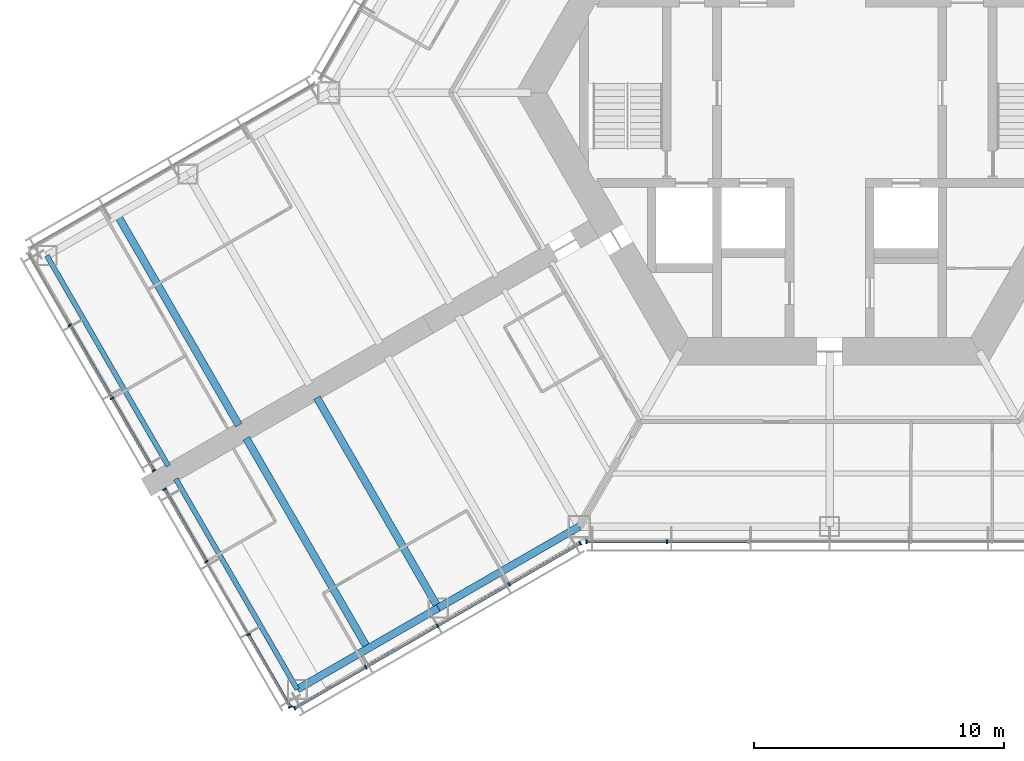
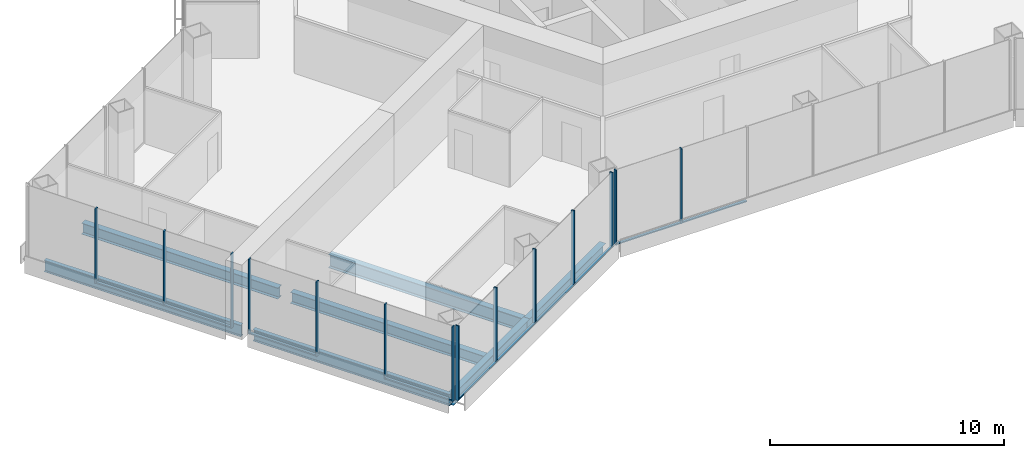
# One storey, part 2 of 18: 24 members, 7 beams, 4 elements without a shape of their own.
"""IFC4 building model written with IfcOpenShell, lengths in metres."""

from ifc_helpers import new_model, si_unit, direction, frame, origin, origin_2d, place, context, subcontext, project, spatial, rectangle, i_section, extrude, material, material_profile, profile_set, type_object, element, aggregate, save


model = new_model("IFC4")

# Units and contexts
model_context = context("Model", 3, precision=1e-05, world=origin(), true_north=direction((0.0, 1.0)))
body_context = subcontext(model_context, "Body", "Model", "MODEL_VIEW")
ifc_project = project(units=[si_unit("LENGTHUNIT", "METRE"), si_unit("AREAUNIT", "SQUARE_METRE"), si_unit("VOLUMEUNIT", "CUBIC_METRE"), si_unit("PLANEANGLEUNIT", "RADIAN"), si_unit("MASSUNIT", "GRAM", prefix="KILO")], contexts=[model_context])

# Site, building, storey
site_placement = place(None, origin())
site = spatial("IfcSite", under=ifc_project, at=site_placement, CompositionType="ELEMENT")
building_placement = place(site_placement, origin())
building = spatial("IfcBuilding", under=site, at=building_placement, Name="Kasaneha Research Tower", CompositionType="ELEMENT")
storey_placement = place(building_placement, frame((0.0, 0.0, 111.89990234375)))
storey = spatial("IfcBuildingStorey", under=building, at=storey_placement, Name="L28", CompositionType="ELEMENT", Elevation=111.89990234375)

# Beams
ifc_material_1 = material(Name="Steel SN490B", Category="steel")
ifc_material_profile_1 = material_profile(ifc_material_1, i_section(OverallWidth=0.300048828125, OverallDepth=0.58203125, WebThickness=0.011962890625, FlangeThickness=0.01708984375, FilletRadius=0.012939453125, at=origin_2d()), Name="H-582x300x12x17")
ifc_profile_set_1 = profile_set([ifc_material_profile_1], Name="Steel SN490B")
beam_type_1 = type_object("IfcBeamType", Name="B2-3 secondary beam H-582x300x12x17", PredefinedType="JOIST", material=ifc_profile_set_1)
for number, where, z_axis, x_axis, name in (
    (1, (-28.44384765625, -4.875, -0.44091796875), (0.500010041276, -0.866019606374, 0.0), (0.866019606374, 0.500010041276, 0.0), "Secondary beam WBBP2 L28"),
    (2, (-18.44384765625, -22.195556640625, -0.44091796875), (-0.499991164321, 0.866030505006, 0.0), (-0.866030505006, -0.499991164321, 0.0), "Secondary beam WBBN2 L28"),
):
    element("IfcBeam", number, at=place(storey_placement, frame(where, z_axis=z_axis, x_axis=x_axis)), inside=storey, type_object=beam_type_1, Name=name, PredefinedType="JOIST", context=body_context, shape_type="SweptSolid", body=[
        extrude(i_section(OverallWidth=0.300048828125, OverallDepth=0.58203125, WebThickness=0.011962890625, FlangeThickness=0.01708984375, FilletRadius=0.012939453125, at=origin_2d()), origin(), (0.0, 0.0, 1.0), 9.699951171875),
    ])

# Curtain wall, members
ifc_material_2 = material(Name="Glass and aluminium", Category="aluminium")
curtain_wall_type = type_object("IfcCurtainWallType", Name="Low-rise office curtain wall", PredefinedType="USERDEFINED", material=ifc_material_2)
curtain_wall_1_placement = place(storey_placement, origin())
curtain_wall_1 = element("IfcCurtainWall", 3, at=curtain_wall_1_placement, inside=storey, type_object=curtain_wall_type, Name="CW-O1 L28 run 01a", ObjectType="UNITISED CURTAIN WALL", PredefinedType="USERDEFINED")
ifc_material_3 = material(Name="Aluminium 6063-T6", Category="aluminium")
ifc_material_profile_2 = material_profile(ifc_material_3, rectangle(XDim=0.06005859375, YDim=0.159912109375, at=origin_2d()), Name="CW-O1 mullion 60x160")
ifc_profile_set_2 = profile_set([ifc_material_profile_2], Name="Aluminium 6063-T6")
member_type_1 = type_object("IfcMemberType", Name="CW-O1 mullion", PredefinedType="MULLION", material=ifc_profile_set_2)
member_1_placement = place(storey_placement, frame((-21.365478515625, -24.5751953125, 0.0), z_axis=(0.0, 0.0, 1.0), x_axis=(0.866025411464, 0.499999986699, 0.0)))
member_1 = element("IfcMember", 4, at=member_1_placement, type_object=member_type_1, Name="CW-O1 mullion 1", PredefinedType="MULLION", context=body_context, shape_type="SweptSolid", body=[
    extrude(rectangle(XDim=0.06005859375, YDim=0.159912109375, at=origin_2d()), origin(), (0.0, 0.0, 1.0), 3.900146484375),
])
member_2_placement = place(storey_placement, frame((-18.52490234375, -22.935302734375, 0.0), z_axis=(0.0, 0.0, 1.0), x_axis=(0.866025411464, 0.499999986699, 0.0)))
member_2 = element("IfcMember", 5, at=member_2_placement, type_object=member_type_1, Name="CW-O1 mullion 2", PredefinedType="MULLION", context=body_context, shape_type="SweptSolid", body=[
    extrude(rectangle(XDim=0.06005859375, YDim=0.159912109375, at=origin_2d()), origin(), (0.0, 0.0, 1.0), 3.900146484375),
])
member_3_placement = place(storey_placement, frame((-15.65869140625, -21.2802734375, 0.0), z_axis=(0.0, 0.0, 1.0), x_axis=(0.866025411464, 0.499999986699, 0.0)))
member_3 = element("IfcMember", 6, at=member_3_placement, type_object=member_type_1, Name="CW-O1 mullion 3", PredefinedType="MULLION", context=body_context, shape_type="SweptSolid", body=[
    extrude(rectangle(XDim=0.06005859375, YDim=0.159912109375, at=origin_2d()), origin(), (0.0, 0.0, 1.0), 3.900146484375),
])
member_4_placement = place(storey_placement, frame((-12.792236328125, -19.62548828125, 0.0), z_axis=(0.0, 0.0, 1.0), x_axis=(0.866025411464, 0.499999986699, 0.0)))
member_4 = element("IfcMember", 7, at=member_4_placement, type_object=member_type_1, Name="CW-O1 mullion 4", PredefinedType="MULLION", context=body_context, shape_type="SweptSolid", body=[
    extrude(rectangle(XDim=0.06005859375, YDim=0.159912109375, at=origin_2d()), origin(), (0.0, 0.0, 1.0), 3.900146484375),
])
member_5_placement = place(storey_placement, frame((-9.951904296875, -17.985595703125, 0.0), z_axis=(0.0, 0.0, 1.0), x_axis=(0.866025411464, 0.499999986699, 0.0)))
member_5 = element("IfcMember", 8, at=member_5_placement, type_object=member_type_1, Name="CW-O1 mullion 5", PredefinedType="MULLION", context=body_context, shape_type="SweptSolid", body=[
    extrude(rectangle(XDim=0.06005859375, YDim=0.159912109375, at=origin_2d()), origin(), (0.0, 0.0, 1.0), 3.900146484375),
])

curtain_wall_2_placement = place(storey_placement, origin())
curtain_wall_2 = element("IfcCurtainWall", 9, at=curtain_wall_2_placement, inside=storey, type_object=curtain_wall_type, Name="CW-O1 L28 run 02a", ObjectType="UNITISED CURTAIN WALL", PredefinedType="USERDEFINED")
member_6_placement = place(storey_placement, frame((-9.709228515625, -17.92041015625, 0.0), z_axis=(0.0, 0.0, 1.0), x_axis=(1.0, 0.0, 0.0)))
member_6 = element("IfcMember", 10, at=member_6_placement, type_object=member_type_1, Name="CW-O1 mullion 1", PredefinedType="MULLION", context=body_context, shape_type="SweptSolid", body=[
    extrude(rectangle(XDim=0.06005859375, YDim=0.159912109375, at=origin_2d()), origin(), (0.0, 0.0, 1.0), 3.900146484375),
])
member_7_placement = place(storey_placement, frame((-6.492919921875, -17.92041015625, 0.0), z_axis=(0.0, 0.0, 1.0), x_axis=(1.0, 0.0, 0.0)))
member_7 = element("IfcMember", 11, at=member_7_placement, type_object=member_type_1, Name="CW-O1 mullion 2", PredefinedType="MULLION", context=body_context, shape_type="SweptSolid", body=[
    extrude(rectangle(XDim=0.06005859375, YDim=0.159912109375, at=origin_2d()), origin(), (0.0, 0.0, 1.0), 3.900146484375),
])

curtain_wall_3_placement = place(storey_placement, origin())
curtain_wall_3 = element("IfcCurtainWall", 12, at=curtain_wall_3_placement, inside=storey, type_object=curtain_wall_type, Name="CW-O1 L28 run 14a", ObjectType="UNITISED CURTAIN WALL", PredefinedType="USERDEFINED")
member_8_placement = place(storey_placement, frame((-30.3447265625, -9.28271484375, 0.0), z_axis=(0.0, 0.0, 1.0), x_axis=(0.500000011442, -0.866025397178, 0.0)))
member_8 = element("IfcMember", 13, at=member_8_placement, type_object=member_type_1, Name="CW-O1 mullion 2", PredefinedType="MULLION", context=body_context, shape_type="SweptSolid", body=[
    extrude(rectangle(XDim=0.06005859375, YDim=0.159912109375, at=origin_2d()), origin(), (0.0, 0.0, 1.0), 3.900146484375),
])
member_9_placement = place(storey_placement, frame((-28.661376953125, -12.1982421875, 0.0), z_axis=(0.0, 0.0, 1.0), x_axis=(0.500000011442, -0.866025397178, 0.0)))
member_9 = element("IfcMember", 14, at=member_9_placement, type_object=member_type_1, Name="CW-O1 mullion 3", PredefinedType="MULLION", context=body_context, shape_type="SweptSolid", body=[
    extrude(rectangle(XDim=0.06005859375, YDim=0.159912109375, at=origin_2d()), origin(), (0.0, 0.0, 1.0), 3.900146484375),
])
member_10_placement = place(storey_placement, frame((-26.992919921875, -15.087890625, 0.0), z_axis=(0.0, 0.0, 1.0), x_axis=(0.500000011442, -0.866025397178, 0.0)))
member_10 = element("IfcMember", 15, at=member_10_placement, type_object=member_type_1, Name="CW-O1 mullion 4", PredefinedType="MULLION", context=body_context, shape_type="SweptSolid", body=[
    extrude(rectangle(XDim=0.06005859375, YDim=0.159912109375, at=origin_2d()), origin(), (0.0, 0.0, 1.0), 3.900146484375),
])

curtain_wall_4_placement = place(storey_placement, origin())
curtain_wall_4 = element("IfcCurtainWall", 16, at=curtain_wall_4_placement, inside=storey, type_object=curtain_wall_type, Name="CW-O1 L28 run 15a", ObjectType="UNITISED CURTAIN WALL", PredefinedType="USERDEFINED")
member_11_placement = place(storey_placement, frame((-26.56298828125, -15.832763671875, 0.0), z_axis=(0.0, 0.0, 1.0), x_axis=(0.500000011442, -0.866025397178, 0.0)))
member_11 = element("IfcMember", 17, at=member_11_placement, type_object=member_type_1, Name="CW-O1 mullion 1", PredefinedType="MULLION", context=body_context, shape_type="SweptSolid", body=[
    extrude(rectangle(XDim=0.06005859375, YDim=0.159912109375, at=origin_2d()), origin(), (0.0, 0.0, 1.0), 3.900146484375),
])
member_12_placement = place(storey_placement, frame((-24.89453125, -18.72216796875, 0.0), z_axis=(0.0, 0.0, 1.0), x_axis=(0.500000011442, -0.866025397178, 0.0)))
member_12 = element("IfcMember", 18, at=member_12_placement, type_object=member_type_1, Name="CW-O1 mullion 2", PredefinedType="MULLION", context=body_context, shape_type="SweptSolid", body=[
    extrude(rectangle(XDim=0.06005859375, YDim=0.159912109375, at=origin_2d()), origin(), (0.0, 0.0, 1.0), 3.900146484375),
])
member_13_placement = place(storey_placement, frame((-23.211181640625, -21.637939453125, 0.0), z_axis=(0.0, 0.0, 1.0), x_axis=(0.500000011442, -0.866025397178, 0.0)))
member_13 = element("IfcMember", 19, at=member_13_placement, type_object=member_type_1, Name="CW-O1 mullion 3", PredefinedType="MULLION", context=body_context, shape_type="SweptSolid", body=[
    extrude(rectangle(XDim=0.06005859375, YDim=0.159912109375, at=origin_2d()), origin(), (0.0, 0.0, 1.0), 3.900146484375),
])
member_14_placement = place(storey_placement, frame((-21.54296875, -24.527587890625, 0.0), z_axis=(0.0, 0.0, 1.0), x_axis=(0.500000011442, -0.866025397178, 0.0)))
member_14 = element("IfcMember", 20, at=member_14_placement, type_object=member_type_1, Name="CW-O1 mullion 4", PredefinedType="MULLION", context=body_context, shape_type="SweptSolid", body=[
    extrude(rectangle(XDim=0.06005859375, YDim=0.159912109375, at=origin_2d()), origin(), (0.0, 0.0, 1.0), 3.900146484375),
])

# Member
ifc_material_4 = material(Name="Aluminium 6063-T6", Category="aluminium")
ifc_material_profile_3 = material_profile(ifc_material_4, rectangle(XDim=0.1201171875, YDim=0.06005859375, at=origin_2d()), Name="CW-O1 transom 120x60")
ifc_profile_set_3 = profile_set([ifc_material_profile_3], Name="Aluminium 6063-T6")
member_type_2 = type_object("IfcMemberType", Name="CW-O1 transom", PredefinedType="USERDEFINED", material=ifc_profile_set_3)
member_15_placement = place(storey_placement, frame((-21.33935546875, -24.56005859375, 0.030029296875), z_axis=(0.866022692473, 0.500004696101, 0.0), x_axis=(-0.500004696101, 0.866022692473, 0.0)))
member_15 = element("IfcMember", 21, at=member_15_placement, type_object=member_type_2, Name="CW-O1 transom 1", ObjectType="TRANSOM", PredefinedType="USERDEFINED", context=body_context, shape_type="SweptSolid", body=[
    extrude(rectangle(XDim=0.1201171875, YDim=0.06005859375, at=origin_2d()), origin(), (0.0, 0.0, 1.0), 3.2197265625),
])

member_16_placement = place(storey_placement, frame((-18.4990234375, -22.920166015625, 0.030029296875), z_axis=(0.86604797581, 0.499960902066, 0.0), x_axis=(-0.499960902066, 0.86604797581, 0.0)))
member_16 = element("IfcMember", 22, at=member_16_placement, type_object=member_type_2, Name="CW-O1 transom 2", ObjectType="TRANSOM", PredefinedType="USERDEFINED", context=body_context, shape_type="SweptSolid", body=[
    extrude(rectangle(XDim=0.1201171875, YDim=0.06005859375, at=origin_2d()), origin(), (0.0, 0.0, 1.0), 3.249755859375),
])

member_17_placement = place(storey_placement, frame((-15.632568359375, -21.265380859375, 0.030029296875), z_axis=(0.866015446554, 0.500017246033, 0.0), x_axis=(-0.500017246033, 0.866015446554, 0.0)))
member_17 = element("IfcMember", 23, at=member_17_placement, type_object=member_type_2, Name="CW-O1 transom 3", ObjectType="TRANSOM", PredefinedType="USERDEFINED", context=body_context, shape_type="SweptSolid", body=[
    extrude(rectangle(XDim=0.1201171875, YDim=0.06005859375, at=origin_2d()), origin(), (0.0, 0.0, 1.0), 3.25),
])

member_18_placement = place(storey_placement, frame((-12.76611328125, -19.6103515625, 0.030029296875), z_axis=(0.866022692473, 0.500004696101, 0.0), x_axis=(-0.500004696101, 0.866022692473, 0.0)))
member_18 = element("IfcMember", 24, at=member_18_placement, type_object=member_type_2, Name="CW-O1 transom 4", ObjectType="TRANSOM", PredefinedType="USERDEFINED", context=body_context, shape_type="SweptSolid", body=[
    extrude(rectangle(XDim=0.1201171875, YDim=0.06005859375, at=origin_2d()), origin(), (0.0, 0.0, 1.0), 3.2197265625),
])

aggregate(curtain_wall_1, [member_1, member_2, member_3, member_4, member_5, member_15, member_16, member_17, member_18])

member_19_placement = place(storey_placement, frame((-9.67919921875, -17.92041015625, 0.030029296875), z_axis=(1.0, 0.0, 0.0), x_axis=(0.0, 1.0, 0.0)))
member_19 = element("IfcMember", 25, at=member_19_placement, type_object=member_type_2, Name="CW-O1 transom 1", ObjectType="TRANSOM", PredefinedType="USERDEFINED", context=body_context, shape_type="SweptSolid", body=[
    extrude(rectangle(XDim=0.1201171875, YDim=0.06005859375, at=origin_2d()), origin(), (0.0, 0.0, 1.0), 3.156494140625),
])

member_20_placement = place(storey_placement, frame((-6.462890625, -17.92041015625, 0.030029296875), z_axis=(1.0, 0.0, 0.0), x_axis=(0.0, 1.0, 0.0)))
member_20 = element("IfcMember", 26, at=member_20_placement, type_object=member_type_2, Name="CW-O1 transom 2", ObjectType="TRANSOM", PredefinedType="USERDEFINED", context=body_context, shape_type="SweptSolid", body=[
    extrude(rectangle(XDim=0.1201171875, YDim=0.06005859375, at=origin_2d()), origin(), (0.0, 0.0, 1.0), 3.1865234375),
])

aggregate(curtain_wall_2, [member_6, member_7, member_19, member_20])

member_21_placement = place(storey_placement, frame((-30.32958984375, -9.30859375, 0.030029296875), z_axis=(0.499982354831, -0.866035590988, 0.0), x_axis=(0.866035590988, 0.499982354831, 0.0)))
member_21 = element("IfcMember", 27, at=member_21_placement, type_object=member_type_2, Name="CW-O1 transom 2", ObjectType="TRANSOM", PredefinedType="USERDEFINED", context=body_context, shape_type="SweptSolid", body=[
    extrude(rectangle(XDim=0.1201171875, YDim=0.06005859375, at=origin_2d()), origin(), (0.0, 0.0, 1.0), 3.306640625),
])

member_22_placement = place(storey_placement, frame((-28.646240234375, -12.22412109375, 0.030029296875), z_axis=(0.499969700927, -0.866042896256, 0.0), x_axis=(0.866042896256, 0.499969700927, 0.0)))
member_22 = element("IfcMember", 28, at=member_22_placement, type_object=member_type_2, Name="CW-O1 transom 3", ObjectType="TRANSOM", PredefinedType="USERDEFINED", context=body_context, shape_type="SweptSolid", body=[
    extrude(rectangle(XDim=0.1201171875, YDim=0.06005859375, at=origin_2d()), origin(), (0.0, 0.0, 1.0), 3.276611328125),
])

aggregate(curtain_wall_3, [member_8, member_9, member_10, member_21, member_22])

member_23_placement = place(storey_placement, frame((-26.5478515625, -15.858642578125, 0.030029296875), z_axis=(0.499969700927, -0.866042896256, 0.0), x_axis=(0.866042896256, 0.499969700927, 0.0)))
member_23 = element("IfcMember", 29, at=member_23_placement, type_object=member_type_2, Name="CW-O1 transom 1", ObjectType="TRANSOM", PredefinedType="USERDEFINED", context=body_context, shape_type="SweptSolid", body=[
    extrude(rectangle(XDim=0.1201171875, YDim=0.06005859375, at=origin_2d()), origin(), (0.0, 0.0, 1.0), 3.276611328125),
])

member_24_placement = place(storey_placement, frame((-23.1962890625, -21.663818359375, 0.030029296875), z_axis=(0.500025583411, -0.866010632691, 0.0), x_axis=(0.866010632691, 0.500025583411, 0.0)))
member_24 = element("IfcMember", 30, at=member_24_placement, type_object=member_type_2, Name="CW-O1 transom 3", ObjectType="TRANSOM", PredefinedType="USERDEFINED", context=body_context, shape_type="SweptSolid", body=[
    extrude(rectangle(XDim=0.1201171875, YDim=0.06005859375, at=origin_2d()), origin(), (0.0, 0.0, 1.0), 3.276611328125),
])

aggregate(curtain_wall_4, [member_11, member_12, member_13, member_14, member_23, member_24])

# Beams
ifc_material_5 = material(Name="Steel SN490B", Category="steel")
ifc_material_profile_4 = material_profile(ifc_material_5, i_section(OverallWidth=0.300048828125, OverallDepth=0.699951171875, WebThickness=0.012939453125, FlangeThickness=0.02392578125, FilletRadius=0.01806640625, at=origin_2d()), Name="H-700x300x13x24")
ifc_profile_set_4 = profile_set([ifc_material_profile_4], Name="Steel SN490B")
beam_type_2 = type_object("IfcBeamType", Name="G4-3 wing girder H-700x300x13x24", PredefinedType="BEAM", material=ifc_profile_set_4)
beam_placement = place(storey_placement, frame((-15.629150390625, -20.570556640625, -0.5), z_axis=(-0.500010041276, 0.866019606374, 0.0), x_axis=(-0.866019606374, -0.500010041276, 0.0)))
element("IfcBeam", 31, at=beam_placement, inside=storey, type_object=beam_type_2, Name="Wing girder WGBN L28", PredefinedType="BEAM", context=body_context, shape_type="SweptSolid", body=[
    extrude(i_section(OverallWidth=0.300048828125, OverallDepth=0.699951171875, WebThickness=0.012939453125, FlangeThickness=0.02392578125, FilletRadius=0.01806640625, at=origin_2d()), origin(), (0.0, 0.0, 1.0), 9.699951171875),
])
ifc_material_6 = material(Name="Steel SN490B", Category="steel")
ifc_material_profile_5 = material_profile(ifc_material_6, i_section(OverallWidth=0.300048828125, OverallDepth=0.58203125, WebThickness=0.011962890625, FlangeThickness=0.01708984375, FilletRadius=0.012939453125, at=origin_2d()), Name="H-582x300x12x17")
ifc_profile_set_5 = profile_set([ifc_material_profile_5], Name="Steel SN490B")
beam_type_3 = type_object("IfcBeamType", Name="SB2-3 spandrel beam H-582x300x12x17", PredefinedType="SPANDREL", material=ifc_profile_set_5)
for number, where, z_axis, x_axis, name in (
    (32, (-10.0, -17.320556640625, -0.44091796875), (-0.866024837091, -0.50000098154, 0.0), (0.50000098154, -0.866024837091, 0.0), "Spandrel beam WSBN1 L28"),
    (33, (-15.629150390625, -20.570556640625, -0.44091796875), (-0.866024837091, -0.50000098154, 0.0), (0.50000098154, -0.866024837091, 0.0), "Spandrel beam WSBN2 L28"),
):
    element("IfcBeam", number, at=place(storey_placement, frame(where, z_axis=z_axis, x_axis=x_axis)), inside=storey, type_object=beam_type_3, Name=name, PredefinedType="SPANDREL", context=body_context, shape_type="SweptSolid", body=[
        extrude(i_section(OverallWidth=0.300048828125, OverallDepth=0.58203125, WebThickness=0.011962890625, FlangeThickness=0.01708984375, FilletRadius=0.012939453125, at=origin_2d()), origin(), (0.0, 0.0, 1.0), 6.5),
    ])
ifc_material_7 = material(Name="Steel SN490B", Category="steel")
ifc_material_profile_6 = material_profile(ifc_material_7, i_section(OverallWidth=0.199951171875, OverallDepth=0.60009765625, WebThickness=0.010986328125, FlangeThickness=0.01708984375, FilletRadius=0.012939453125, at=origin_2d()), Name="H-600x200x11x17")
ifc_profile_set_6 = profile_set([ifc_material_profile_6], Name="Steel SN490B")
beam_type_4 = type_object("IfcBeamType", Name="SB3-3 spandrel beam H-600x200x11x17", PredefinedType="SPANDREL", material=ifc_profile_set_6)
for number, where, z_axis, x_axis, name in (
    (34, (-31.25830078125, -6.5, -0.449951171875), (0.499991164321, -0.866030505006, 0.0), (0.866030505006, 0.499991164321, 0.0), "Spandrel beam WTBP L28"),
    (35, (-21.25830078125, -23.820556640625, -0.449951171875), (-0.500010041276, 0.866019606374, 0.0), (-0.866019606374, -0.500010041276, 0.0), "Spandrel beam WTBN L28"),
):
    element("IfcBeam", number, at=place(storey_placement, frame(where, z_axis=z_axis, x_axis=x_axis)), inside=storey, type_object=beam_type_4, Name=name, PredefinedType="SPANDREL", context=body_context, shape_type="SweptSolid", body=[
        extrude(i_section(OverallWidth=0.199951171875, OverallDepth=0.60009765625, WebThickness=0.010986328125, FlangeThickness=0.01708984375, FilletRadius=0.012939453125, at=origin_2d()), origin(), (0.0, 0.0, 1.0), 9.699951171875),
    ])

save(model, "model.ifc")
